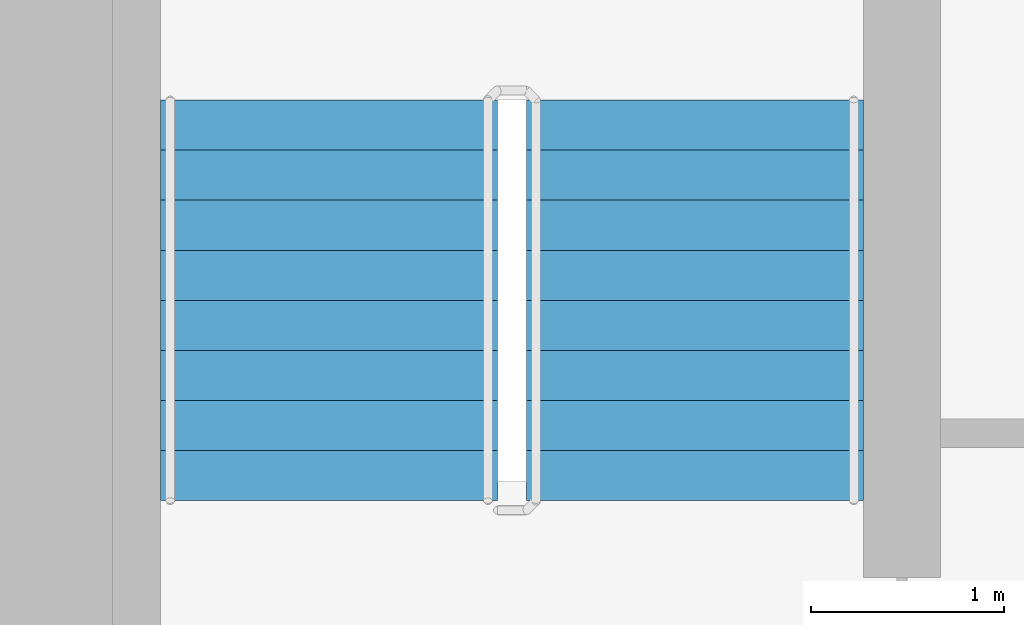
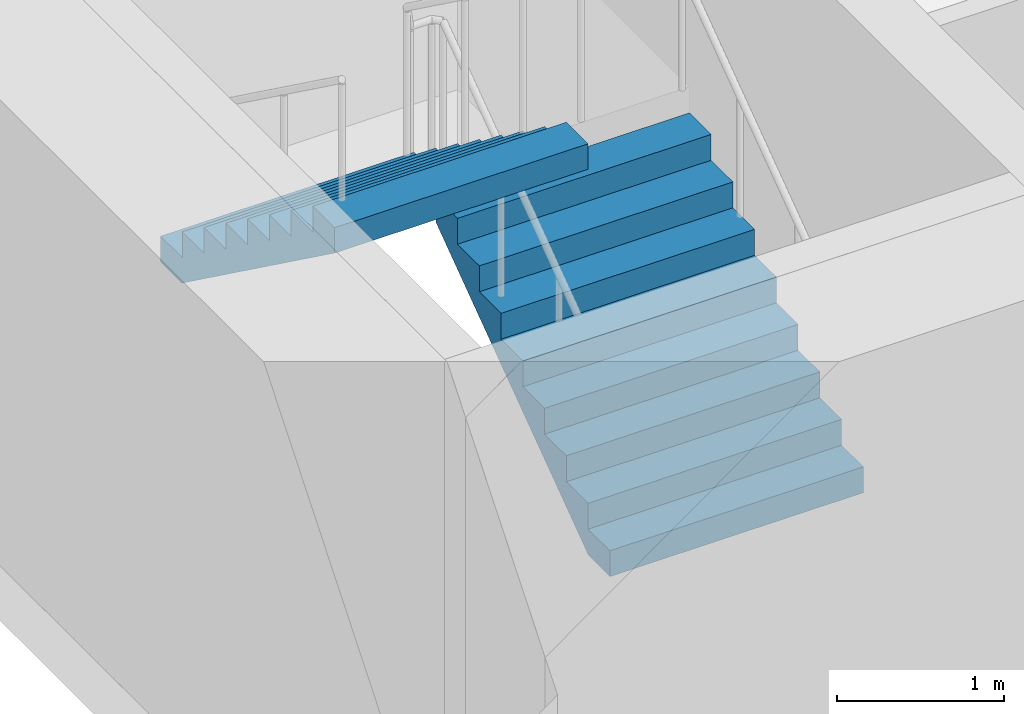
# One storey, part 17 of 21: 2 stair flights, 1 element without a shape of its own.
"""IFC4 building model written with IfcOpenShell, lengths in metres."""

import ifcopenshell
import ifcopenshell.guid

model = None  # the IFC model being written
_history = None  # IfcOwnerHistory: only IFC2X3 demands one
_inside = {}  # id of a spatial element -> (the spatial element, [elements in it])
_under = {}  # id of a project, library or spatial element -> (it, [spatial elements below it])
_declared = {}  # id of a project -> (the project, [libraries it declares])
_typed = {}  # id of a type object -> (the type object, [elements of that type])
_made_of = {}  # id of a material, layer set ... -> (it, [elements and type objects made of it])


def new_model(schema):
    """Start an empty IFC model of exactly this schema.

    Asked for "IFC4X3", IfcOpenShell would pick the latest addendum, in which some entities
    have other attributes; the version numbers below select the first issue.
    IFC2X3 requires an IfcOwnerHistory on every rooted entity: one is made here for all.
    """
    global model, _history
    if schema == "IFC4X3":
        model = ifcopenshell.file(schema_version=(4, 3, 0, 0))
    else:
        model = ifcopenshell.file(schema=schema)
    _inside.clear()
    _under.clear()
    _declared.clear()
    _typed.clear()
    _made_of.clear()
    _history = None
    if model.schema == "IFC2X3":
        org = make("IfcOrganization", Name="unknown")
        user = make(
            "IfcPersonAndOrganization",
            ThePerson=make("IfcPerson", FamilyName="unknown"),
            TheOrganization=org,
        )
        app = make(
            "IfcApplication",
            ApplicationDeveloper=org,
            Version="unknown",
            ApplicationFullName="unknown",
            ApplicationIdentifier="unknown",
        )
        _history = make(
            "IfcOwnerHistory",
            OwningUser=user,
            OwningApplication=app,
            ChangeAction="ADDED",
            CreationDate=0,
        )
    return model


def make(cls, **values):
    """One entity of the class cls with the attributes given. An attribute that is None is left unset."""
    return model.create_entity(
        cls, **{name: value for name, value in values.items() if value is not None}
    )


def rooted(cls, **values):
    """An entity with a GlobalId (a new one), such as an element, a storey or a relation."""
    return make(cls, GlobalId=ifcopenshell.guid.new(), OwnerHistory=_history, **values)


def si_unit(unit_type, name, prefix=None):
    """IfcSIUnit, for example si_unit("LENGTHUNIT", "METRE", prefix="MILLI")."""
    return make("IfcSIUnit", UnitType=unit_type, Prefix=prefix, Name=name)


def assignment(units):
    """IfcUnitAssignment: the units of a project."""
    return None if units is None else make("IfcUnitAssignment", Units=units)


def point(xyz):
    """IfcCartesianPoint."""
    return None if xyz is None else make("IfcCartesianPoint", Coordinates=xyz)


def direction(xyz):
    """IfcDirection."""
    return None if xyz is None else make("IfcDirection", DirectionRatios=xyz)


def frame(location, z_axis=None, x_axis=None):
    """IfcAxis2Placement3D, a coordinate frame: its origin and axes. An axis left out is left unset."""
    return make(
        "IfcAxis2Placement3D",
        Location=point(location),
        Axis=direction(z_axis),
        RefDirection=direction(x_axis),
    )


def origin():
    """The frame at (0, 0, 0) with its axes left unset."""
    return frame((0.0, 0.0, 0.0))


def place(relative_to, where):
    """IfcLocalPlacement: puts the frame where relative to a parent placement (None: the world)."""
    return make(
        "IfcLocalPlacement", PlacementRelTo=relative_to, RelativePlacement=where
    )


def context(
    kind, dimensions, precision=None, world=None, true_north=None, identifier=None
):
    """IfcGeometricRepresentationContext, for example the 3D "Model" context."""
    return make(
        "IfcGeometricRepresentationContext",
        ContextIdentifier=identifier,
        ContextType=kind,
        CoordinateSpaceDimension=dimensions,
        Precision=precision,
        WorldCoordinateSystem=world,
        TrueNorth=true_north,
    )


def subcontext(parent, identifier, kind, view, scale=None):
    """IfcGeometricRepresentationSubContext, for example "Body" below "Model"."""
    return make(
        "IfcGeometricRepresentationSubContext",
        ContextIdentifier=identifier,
        ContextType=kind,
        ParentContext=parent,
        TargetScale=scale,
        TargetView=view,
    )


def project(units=None, contexts=None):
    """IfcProject with its units and contexts."""
    return rooted(
        "IfcProject",
        Name="project",
        RepresentationContexts=contexts,
        UnitsInContext=assignment(units),
    )


def spatial(cls, under=None, at=None, **own):
    """A site, building, storey or space (cls), placed at a placement, below another one or the project."""
    s = rooted(cls, ObjectPlacement=at, **own)
    if under is not None:
        _under.setdefault(under.id(), (under, []))[1].append(s)
    return s


def faces_of(points, faces, orient=None, outer=None):
    """IfcFace entities. A face is a list of loops; a loop is a list of indices into points, from 0.

    orient and outer hold one flag for each loop. By default every Orientation is true, the
    first loop of a face is its IfcFaceOuterBound and the others are IfcFaceBound.
    """
    made = []
    for i, loops in enumerate(faces):
        bounds = []
        for j, loop in enumerate(loops):
            is_outer = j == 0 if outer is None else outer[i][j]
            bounds.append(
                make(
                    "IfcFaceOuterBound" if is_outer else "IfcFaceBound",
                    Bound=make("IfcPolyLoop", Polygon=[points[k] for k in loop]),
                    Orientation=True if orient is None else orient[i][j],
                )
            )
        made.append(make("IfcFace", Bounds=bounds))
    return made


def faceted_brep(points, faces, orient=None, outer=None, voids=None):
    """IfcFacetedBrep: a solid bounded by flat faces; with voids (closed shells), ...WithVoids."""
    shared = [point(p) for p in points]
    hull = make("IfcClosedShell", CfsFaces=faces_of(shared, faces, orient, outer))
    if voids is None:
        return make("IfcFacetedBrep", Outer=hull)
    return make(
        "IfcFacetedBrepWithVoids",
        Outer=hull,
        Voids=[
            make(cls, CfsFaces=faces_of(shared, fs, o, b)) for cls, fs, o, b in voids
        ],
    )


def shape(context_of_items, identifier, shape_type, items):
    """IfcShapeRepresentation: the items that make up one representation, for example the "Body"."""
    return make(
        "IfcShapeRepresentation",
        ContextOfItems=context_of_items,
        RepresentationIdentifier=identifier,
        RepresentationType=shape_type,
        Items=items,
    )


def material(Name=None, Category=None):
    """IfcMaterial."""
    return make("IfcMaterial", Name=Name, Category=Category)


def made_of(thing, what):
    """Note that an element or type object is made of a material, layer set ...; save() writes the relation."""
    if what is not None:
        _made_of.setdefault(what.id(), (what, []))[1].append(thing)
    return thing


def type_object(cls, material=None, **own):
    """A type object (cls), such as IfcWallType, which elements share."""
    return made_of(rooted(cls, **own), material)


def element(
    cls,
    number,
    at=None,
    inside=None,
    cuts=None,
    type_object=None,
    material=None,
    context=None,
    identifier="Body",
    shape_type=None,
    held_by="IfcProductDefinitionShape",
    body=None,
    shapes=None,
    **own,
):
    """One element of the class cls, such as IfcWall. Its Tag is "e" and its number.

    at: its placement. inside: the storey or other place that contains it. cuts: it is an
    opening in that element (IfcRelVoidsElement). A single representation is given by context,
    identifier, shape_type and body (its items); several are given by shapes. held_by: the class
    of the entity that holds the representations. save() writes the other relations.
    """
    e = rooted(cls, Tag="e%d" % number, ObjectPlacement=at, **own)
    if body is not None:
        shapes = [shape(context, identifier, shape_type, body)]
    if shapes is not None:
        e.Representation = make(held_by, Representations=shapes)
    if inside is not None:
        _inside.setdefault(inside.id(), (inside, []))[1].append(e)
    if cuts is not None:
        rooted(
            "IfcRelVoidsElement", RelatingBuildingElement=cuts, RelatedOpeningElement=e
        )
    if type_object is not None:
        _typed.setdefault(type_object.id(), (type_object, []))[1].append(e)
    return made_of(e, material)


def aggregate(whole, parts):
    """IfcRelAggregates: a whole, such as a stair, and the parts it consists of."""
    return rooted("IfcRelAggregates", RelatingObject=whole, RelatedObjects=parts)


def save(model, path):
    """Write the relations noted so far, then the file.

    IfcRelAggregates (storeys below a building ...), IfcRelContainedInSpatialStructure (elements
    in a storey), IfcRelDefinesByType, IfcRelAssociatesMaterial and IfcRelDeclares: one each for
    every whole, place, type object, material and project.
    """
    for whole, parts in _under.values():
        aggregate(whole, parts)
    for where, things in _inside.values():
        rooted(
            "IfcRelContainedInSpatialStructure",
            RelatedElements=things,
            RelatingStructure=where,
        )
    for kind, things in _typed.values():
        rooted("IfcRelDefinesByType", RelatedObjects=things, RelatingType=kind)
    for what, things in _made_of.values():
        rooted("IfcRelAssociatesMaterial", RelatedObjects=things, RelatingMaterial=what)
    for by, libraries in _declared.values():
        rooted("IfcRelDeclares", RelatingContext=by, RelatedDefinitions=libraries)
    model.write(path)


model = new_model("IFC4")

# Units and contexts
model_context = context("Model", 3, precision=1e-05, world=origin(), true_north=direction((0.0, 1.0)))
body_context = subcontext(model_context, "Body", "Model", "MODEL_VIEW")
ifc_project = project(units=[si_unit("LENGTHUNIT", "METRE"), si_unit("AREAUNIT", "SQUARE_METRE"), si_unit("VOLUMEUNIT", "CUBIC_METRE"), si_unit("PLANEANGLEUNIT", "RADIAN"), si_unit("MASSUNIT", "GRAM", prefix="KILO")], contexts=[model_context])

# Site, building, storey
site_placement = place(None, origin())
site = spatial("IfcSite", under=ifc_project, at=site_placement, CompositionType="ELEMENT")
building_placement = place(site_placement, origin())
building = spatial("IfcBuilding", under=site, at=building_placement, Name="Ipe Terrace Towers", CompositionType="ELEMENT")
storey_placement = place(building_placement, frame((0.0, 0.0, 117.39990234375)))
storey = spatial("IfcBuildingStorey", under=building, at=storey_placement, Name="L32", CompositionType="ELEMENT", Elevation=117.39990234375)

# Stair, stair flights
ifc_material_1 = material(Name="Concrete C30/37", Category="concrete")
stair_type = type_object("IfcStairType", Name="Protected exit stair", PredefinedType="HALF_TURN_STAIR", material=ifc_material_1)
stair_placement = place(storey_placement, origin())
stair = element("IfcStair", 1, at=stair_placement, inside=storey, type_object=stair_type, Name="L32 Exit stair T2-C1", PredefinedType="HALF_TURN_STAIR")
ifc_material_2 = material(Name="Concrete C30/37", Category="concrete")
stair_flight_type = type_object("IfcStairFlightType", Name="Exit stair flight 1750", PredefinedType="STRAIGHT", material=ifc_material_2)
stair_flight_1_placement = place(storey_placement, frame((33.22509765625, 9.699951171875, 0.0), z_axis=(0.0, 0.0, 1.0), x_axis=(0.0, 1.0, 0.0)))
stair_flight_1 = element("IfcStairFlight", 2, at=stair_flight_1_placement, type_object=stair_flight_type, Name="T2-ST1 flight 1", NumberOfRisers=9, NumberOfTreads=8, PredefinedType="STRAIGHT", RiserHeight=0.188888889, TreadLength=0.26, context=body_context, shape_type="Brep", body=[
    faceted_brep([(0.255126953125, -0.875, 0.0), (2.080078125, -0.875, 1.325927734375), (2.080078125, -0.875, 1.51123046875), (1.820068359375, -0.875, 1.51123046875), (1.820068359375, -0.875, 1.322265625), (1.56005859375, -0.875, 1.322265625), (1.56005859375, -0.875, 1.13330078125), (1.300048828125, -0.875, 1.13330078125), (1.300048828125, -0.875, 0.9443359375), (1.0400390625, -0.875, 0.9443359375), (1.0400390625, -0.875, 0.755615234375), (0.780029296875, -0.875, 0.755615234375), (0.780029296875, -0.875, 0.566650390625), (0.52001953125, -0.875, 0.566650390625), (0.52001953125, -0.875, 0.377685546875), (0.260009765625, -0.875, 0.377685546875), (0.260009765625, -0.875, 0.18896484375), (0.0, -0.875, 0.18896484375), (0.0, -0.875, 0.0), (0.0, 0.875, 0.0), (0.0, 0.875, 0.18896484375), (0.260009765625, 0.875, 0.18896484375), (0.260009765625, 0.875, 0.377685546875), (0.52001953125, 0.875, 0.377685546875), (0.52001953125, 0.875, 0.566650390625), (0.780029296875, 0.875, 0.566650390625), (0.780029296875, 0.875, 0.755615234375), (1.0400390625, 0.875, 0.755615234375), (1.0400390625, 0.875, 0.9443359375), (1.300048828125, 0.875, 0.9443359375), (1.300048828125, 0.875, 1.13330078125), (1.56005859375, 0.875, 1.13330078125), (1.56005859375, 0.875, 1.322265625), (1.820068359375, 0.875, 1.322265625), (1.820068359375, 0.875, 1.51123046875), (2.080078125, 0.875, 1.51123046875), (2.080078125, 0.875, 1.325927734375), (0.255126953125, 0.875, 0.0), (0.0, -0.300048828125, 0.18896484375), (0.0, -0.1201171875, 0.18896484375), (0.0, -0.06005859375, 0.18896484375), (0.0, -0.030029296875, 0.18896484375), (0.0, -0.010009765625, 0.18896484375), (0.0, 0.0, 0.18896484375), (0.0, 0.010009765625, 0.18896484375), (0.0, 0.030029296875, 0.18896484375), (0.0, 0.06005859375, 0.18896484375), (0.0, 0.1201171875, 0.18896484375), (0.0, 0.300048828125, 0.18896484375), (0.0, 0.300048828125, 0.0), (0.0, 0.1201171875, 0.0), (0.0, 0.06005859375, 0.0), (0.0, 0.030029296875, 0.0), (0.0, 0.010009765625, 0.0), (0.0, 0.0, 0.0), (0.0, -0.010009765625, 0.0), (0.0, -0.030029296875, 0.0), (0.0, -0.06005859375, 0.0), (0.0, -0.1201171875, 0.0), (0.0, -0.300048828125, 0.0), (0.260009765625, -0.300048828125, 0.18896484375), (0.260009765625, -0.1201171875, 0.18896484375), (0.260009765625, -0.06005859375, 0.18896484375), (0.260009765625, -0.030029296875, 0.18896484375), (0.260009765625, -0.010009765625, 0.18896484375), (0.260009765625, 0.0, 0.18896484375), (0.260009765625, 0.010009765625, 0.18896484375), (0.260009765625, 0.030029296875, 0.18896484375), (0.260009765625, 0.06005859375, 0.18896484375), (0.260009765625, 0.1201171875, 0.18896484375), (0.260009765625, 0.300048828125, 0.18896484375), (0.260009765625, -0.300048828125, 0.377685546875), (0.260009765625, -0.1201171875, 0.377685546875), (0.260009765625, -0.06005859375, 0.377685546875), (0.260009765625, -0.030029296875, 0.377685546875), (0.260009765625, -0.010009765625, 0.377685546875), (0.260009765625, 0.0, 0.377685546875), (0.260009765625, 0.010009765625, 0.377685546875), (0.260009765625, 0.030029296875, 0.377685546875), (0.260009765625, 0.06005859375, 0.377685546875), (0.260009765625, 0.1201171875, 0.377685546875), (0.260009765625, 0.300048828125, 0.377685546875), (0.52001953125, -0.300048828125, 0.377685546875), (0.52001953125, -0.1201171875, 0.377685546875), (0.52001953125, -0.06005859375, 0.377685546875), (0.52001953125, -0.030029296875, 0.377685546875), (0.52001953125, -0.010009765625, 0.377685546875), (0.52001953125, 0.0, 0.377685546875), (0.52001953125, 0.010009765625, 0.377685546875), (0.52001953125, 0.030029296875, 0.377685546875), (0.52001953125, 0.06005859375, 0.377685546875), (0.52001953125, 0.1201171875, 0.377685546875), (0.52001953125, 0.300048828125, 0.377685546875), (0.52001953125, -0.300048828125, 0.566650390625), (0.52001953125, -0.1201171875, 0.566650390625), (0.52001953125, -0.06005859375, 0.566650390625), (0.52001953125, -0.030029296875, 0.566650390625), (0.52001953125, -0.010009765625, 0.566650390625), (0.52001953125, 0.0, 0.566650390625), (0.52001953125, 0.010009765625, 0.566650390625), (0.52001953125, 0.030029296875, 0.566650390625), (0.52001953125, 0.06005859375, 0.566650390625), (0.52001953125, 0.1201171875, 0.566650390625), (0.52001953125, 0.300048828125, 0.566650390625), (0.780029296875, -0.300048828125, 0.566650390625), (0.780029296875, -0.1201171875, 0.566650390625), (0.780029296875, -0.06005859375, 0.566650390625), (0.780029296875, -0.030029296875, 0.566650390625), (0.780029296875, -0.010009765625, 0.566650390625), (0.780029296875, 0.0, 0.566650390625), (0.780029296875, 0.010009765625, 0.566650390625), (0.780029296875, 0.030029296875, 0.566650390625), (0.780029296875, 0.06005859375, 0.566650390625), (0.780029296875, 0.1201171875, 0.566650390625), (0.780029296875, 0.300048828125, 0.566650390625), (0.780029296875, -0.300048828125, 0.755615234375), (0.780029296875, -0.1201171875, 0.755615234375), (0.780029296875, -0.06005859375, 0.755615234375), (0.780029296875, -0.030029296875, 0.755615234375), (0.780029296875, -0.010009765625, 0.755615234375), (0.780029296875, 0.0, 0.755615234375), (0.780029296875, 0.010009765625, 0.755615234375), (0.780029296875, 0.030029296875, 0.755615234375), (0.780029296875, 0.06005859375, 0.755615234375), (0.780029296875, 0.1201171875, 0.755615234375), (0.780029296875, 0.300048828125, 0.755615234375), (1.0400390625, -0.300048828125, 0.755615234375), (1.0400390625, -0.1201171875, 0.755615234375), (1.0400390625, -0.06005859375, 0.755615234375), (1.0400390625, -0.030029296875, 0.755615234375), (1.0400390625, -0.010009765625, 0.755615234375), (1.0400390625, 0.0, 0.755615234375), (1.0400390625, 0.010009765625, 0.755615234375), (1.0400390625, 0.030029296875, 0.755615234375), (1.0400390625, 0.06005859375, 0.755615234375), (1.0400390625, 0.1201171875, 0.755615234375), (1.0400390625, 0.300048828125, 0.755615234375), (1.0400390625, -0.300048828125, 0.9443359375), (1.0400390625, -0.1201171875, 0.9443359375), (1.0400390625, -0.06005859375, 0.9443359375), (1.0400390625, -0.030029296875, 0.9443359375), (1.0400390625, -0.010009765625, 0.9443359375), (1.0400390625, 0.0, 0.9443359375), (1.0400390625, 0.010009765625, 0.9443359375), (1.0400390625, 0.030029296875, 0.9443359375), (1.0400390625, 0.06005859375, 0.9443359375), (1.0400390625, 0.1201171875, 0.9443359375), (1.0400390625, 0.300048828125, 0.9443359375), (1.300048828125, -0.300048828125, 0.9443359375), (1.300048828125, -0.1201171875, 0.9443359375), (1.300048828125, -0.06005859375, 0.9443359375), (1.300048828125, -0.030029296875, 0.9443359375), (1.300048828125, -0.010009765625, 0.9443359375), (1.300048828125, 0.0, 0.9443359375), (1.300048828125, 0.010009765625, 0.9443359375), (1.300048828125, 0.030029296875, 0.9443359375), (1.300048828125, 0.06005859375, 0.9443359375), (1.300048828125, 0.1201171875, 0.9443359375), (1.300048828125, 0.300048828125, 0.9443359375), (1.300048828125, -0.300048828125, 1.13330078125), (1.300048828125, -0.1201171875, 1.13330078125), (1.300048828125, -0.06005859375, 1.13330078125), (1.300048828125, -0.030029296875, 1.13330078125), (1.300048828125, -0.010009765625, 1.13330078125), (1.300048828125, 0.0, 1.13330078125), (1.300048828125, 0.010009765625, 1.13330078125), (1.300048828125, 0.030029296875, 1.13330078125), (1.300048828125, 0.06005859375, 1.13330078125), (1.300048828125, 0.1201171875, 1.13330078125), (1.300048828125, 0.300048828125, 1.13330078125), (1.56005859375, -0.300048828125, 1.13330078125), (1.56005859375, -0.1201171875, 1.13330078125), (1.56005859375, -0.06005859375, 1.13330078125), (1.56005859375, -0.030029296875, 1.13330078125), (1.56005859375, -0.010009765625, 1.13330078125), (1.56005859375, 0.0, 1.13330078125), (1.56005859375, 0.010009765625, 1.13330078125), (1.56005859375, 0.030029296875, 1.13330078125), (1.56005859375, 0.06005859375, 1.13330078125), (1.56005859375, 0.1201171875, 1.13330078125), (1.56005859375, 0.300048828125, 1.13330078125), (1.56005859375, -0.300048828125, 1.322265625), (1.56005859375, -0.1201171875, 1.322265625), (1.56005859375, -0.06005859375, 1.322265625), (1.56005859375, -0.030029296875, 1.322265625), (1.56005859375, -0.010009765625, 1.322265625), (1.56005859375, 0.0, 1.322265625), (1.56005859375, 0.010009765625, 1.322265625), (1.56005859375, 0.030029296875, 1.322265625), (1.56005859375, 0.06005859375, 1.322265625), (1.56005859375, 0.1201171875, 1.322265625), (1.56005859375, 0.300048828125, 1.322265625), (1.820068359375, -0.300048828125, 1.322265625), (1.820068359375, -0.1201171875, 1.322265625), (1.820068359375, -0.06005859375, 1.322265625), (1.820068359375, -0.030029296875, 1.322265625), (1.820068359375, -0.010009765625, 1.322265625), (1.820068359375, 0.0, 1.322265625), (1.820068359375, 0.010009765625, 1.322265625), (1.820068359375, 0.030029296875, 1.322265625), (1.820068359375, 0.06005859375, 1.322265625), (1.820068359375, 0.1201171875, 1.322265625), (1.820068359375, 0.300048828125, 1.322265625), (1.820068359375, -0.300048828125, 1.51123046875), (1.820068359375, -0.1201171875, 1.51123046875), (1.820068359375, -0.06005859375, 1.51123046875), (1.820068359375, -0.030029296875, 1.51123046875), (1.820068359375, -0.010009765625, 1.51123046875), (1.820068359375, 0.0, 1.51123046875), (1.820068359375, 0.010009765625, 1.51123046875), (1.820068359375, 0.030029296875, 1.51123046875), (1.820068359375, 0.06005859375, 1.51123046875), (1.820068359375, 0.1201171875, 1.51123046875), (1.820068359375, 0.300048828125, 1.51123046875), (2.080078125, -0.300048828125, 1.51123046875), (2.080078125, -0.1201171875, 1.51123046875), (2.080078125, -0.06005859375, 1.51123046875), (2.080078125, -0.030029296875, 1.51123046875), (2.080078125, -0.010009765625, 1.51123046875), (2.080078125, 0.0, 1.51123046875), (2.080078125, 0.010009765625, 1.51123046875), (2.080078125, 0.030029296875, 1.51123046875), (2.080078125, 0.06005859375, 1.51123046875), (2.080078125, 0.1201171875, 1.51123046875), (2.080078125, 0.300048828125, 1.51123046875), (2.080078125, -0.300048828125, 1.325927734375), (2.080078125, -0.1201171875, 1.325927734375), (2.080078125, -0.06005859375, 1.325927734375), (2.080078125, -0.030029296875, 1.325927734375), (2.080078125, -0.010009765625, 1.325927734375), (2.080078125, 0.0, 1.325927734375), (2.080078125, 0.010009765625, 1.325927734375), (2.080078125, 0.030029296875, 1.325927734375), (2.080078125, 0.06005859375, 1.325927734375), (2.080078125, 0.1201171875, 1.325927734375), (2.080078125, 0.300048828125, 1.325927734375), (0.255126953125, -0.300048828125, 0.0), (0.255126953125, -0.1201171875, 0.0), (0.255126953125, -0.06005859375, 0.0), (0.255126953125, -0.030029296875, 0.0), (0.255126953125, -0.010009765625, 0.0), (0.255126953125, 0.0, 0.0), (0.255126953125, 0.010009765625, 0.0), (0.255126953125, 0.030029296875, 0.0), (0.255126953125, 0.06005859375, 0.0), (0.255126953125, 0.1201171875, 0.0), (0.255126953125, 0.300048828125, 0.0)], [[[0, 1, 2, 3, 4, 5, 6, 7, 8, 9, 10, 11, 12, 13, 14, 15, 16, 17, 18]], [[19, 20, 21, 22, 23, 24, 25, 26, 27, 28, 29, 30, 31, 32, 33, 34, 35, 36, 37]], [[17, 38, 39, 40, 41, 42, 43, 44, 45, 46, 47, 48, 20, 19, 49, 50, 51, 52, 53, 54, 55, 56, 57, 58, 59, 18]], [[16, 60, 61, 62, 63, 64, 65, 66, 67, 68, 69, 70, 21, 20, 48, 47, 46, 45, 44, 43, 42, 41, 40, 39, 38, 17]], [[15, 71, 72, 73, 74, 75, 76, 77, 78, 79, 80, 81, 22, 21, 70, 69, 68, 67, 66, 65, 64, 63, 62, 61, 60, 16]], [[14, 82, 83, 84, 85, 86, 87, 88, 89, 90, 91, 92, 23, 22, 81, 80, 79, 78, 77, 76, 75, 74, 73, 72, 71, 15]], [[13, 93, 94, 95, 96, 97, 98, 99, 100, 101, 102, 103, 24, 23, 92, 91, 90, 89, 88, 87, 86, 85, 84, 83, 82, 14]], [[12, 104, 105, 106, 107, 108, 109, 110, 111, 112, 113, 114, 25, 24, 103, 102, 101, 100, 99, 98, 97, 96, 95, 94, 93, 13]], [[11, 115, 116, 117, 118, 119, 120, 121, 122, 123, 124, 125, 26, 25, 114, 113, 112, 111, 110, 109, 108, 107, 106, 105, 104, 12]], [[10, 126, 127, 128, 129, 130, 131, 132, 133, 134, 135, 136, 27, 26, 125, 124, 123, 122, 121, 120, 119, 118, 117, 116, 115, 11]], [[9, 137, 138, 139, 140, 141, 142, 143, 144, 145, 146, 147, 28, 27, 136, 135, 134, 133, 132, 131, 130, 129, 128, 127, 126, 10]], [[8, 148, 149, 150, 151, 152, 153, 154, 155, 156, 157, 158, 29, 28, 147, 146, 145, 144, 143, 142, 141, 140, 139, 138, 137, 9]], [[7, 159, 160, 161, 162, 163, 164, 165, 166, 167, 168, 169, 30, 29, 158, 157, 156, 155, 154, 153, 152, 151, 150, 149, 148, 8]], [[6, 170, 171, 172, 173, 174, 175, 176, 177, 178, 179, 180, 31, 30, 169, 168, 167, 166, 165, 164, 163, 162, 161, 160, 159, 7]], [[5, 181, 182, 183, 184, 185, 186, 187, 188, 189, 190, 191, 32, 31, 180, 179, 178, 177, 176, 175, 174, 173, 172, 171, 170, 6]], [[4, 192, 193, 194, 195, 196, 197, 198, 199, 200, 201, 202, 33, 32, 191, 190, 189, 188, 187, 186, 185, 184, 183, 182, 181, 5]], [[3, 203, 204, 205, 206, 207, 208, 209, 210, 211, 212, 213, 34, 33, 202, 201, 200, 199, 198, 197, 196, 195, 194, 193, 192, 4]], [[2, 214, 215, 216, 217, 218, 219, 220, 221, 222, 223, 224, 35, 34, 213, 212, 211, 210, 209, 208, 207, 206, 205, 204, 203, 3]], [[1, 225, 226, 227, 228, 229, 230, 231, 232, 233, 234, 235, 36, 35, 224, 223, 222, 221, 220, 219, 218, 217, 216, 215, 214, 2]], [[0, 236, 237, 238, 239, 240, 241, 242, 243, 244, 245, 246, 37, 36, 235, 234, 233, 232, 231, 230, 229, 228, 227, 226, 225, 1]], [[18, 59, 58, 57, 56, 55, 54, 53, 52, 51, 50, 49, 19, 37, 246, 245, 244, 243, 242, 241, 240, 239, 238, 237, 236, 0]]]),
])
stair_flight_2_placement = place(storey_placement, frame((31.324951171875, 11.780029296875, 1.7001953125), z_axis=(0.0, 0.0, 1.0), x_axis=(0.0, -1.0, 0.0)))
stair_flight_2 = element("IfcStairFlight", 3, at=stair_flight_2_placement, type_object=stair_flight_type, Name="T2-ST1 flight 2", NumberOfRisers=9, NumberOfTreads=8, PredefinedType="STRAIGHT", RiserHeight=0.188888889, TreadLength=0.26, context=body_context, shape_type="Brep", body=[
    faceted_brep([(0.255126953125, -0.875, 0.0), (2.080078125, -0.875, 1.325927734375), (2.080078125, -0.875, 1.51123046875), (1.820068359375, -0.875, 1.51123046875), (1.820068359375, -0.875, 1.322265625), (1.56005859375, -0.875, 1.322265625), (1.56005859375, -0.875, 1.13330078125), (1.300048828125, -0.875, 1.13330078125), (1.300048828125, -0.875, 0.9443359375), (1.0400390625, -0.875, 0.9443359375), (1.0400390625, -0.875, 0.755615234375), (0.780029296875, -0.875, 0.755615234375), (0.780029296875, -0.875, 0.566650390625), (0.52001953125, -0.875, 0.566650390625), (0.52001953125, -0.875, 0.377685546875), (0.260009765625, -0.875, 0.377685546875), (0.260009765625, -0.875, 0.18896484375), (0.0, -0.875, 0.18896484375), (0.0, -0.875, 0.0), (0.0, 0.875, 0.0), (0.0, 0.875, 0.18896484375), (0.260009765625, 0.875, 0.18896484375), (0.260009765625, 0.875, 0.377685546875), (0.52001953125, 0.875, 0.377685546875), (0.52001953125, 0.875, 0.566650390625), (0.780029296875, 0.875, 0.566650390625), (0.780029296875, 0.875, 0.755615234375), (1.0400390625, 0.875, 0.755615234375), (1.0400390625, 0.875, 0.9443359375), (1.300048828125, 0.875, 0.9443359375), (1.300048828125, 0.875, 1.13330078125), (1.56005859375, 0.875, 1.13330078125), (1.56005859375, 0.875, 1.322265625), (1.820068359375, 0.875, 1.322265625), (1.820068359375, 0.875, 1.51123046875), (2.080078125, 0.875, 1.51123046875), (2.080078125, 0.875, 1.325927734375), (0.255126953125, 0.875, 0.0), (0.0, -0.300048828125, 0.18896484375), (0.0, -0.1201171875, 0.18896484375), (0.0, -0.06005859375, 0.18896484375), (0.0, -0.030029296875, 0.18896484375), (0.0, -0.010009765625, 0.18896484375), (0.0, 0.0, 0.18896484375), (0.0, 0.010009765625, 0.18896484375), (0.0, 0.030029296875, 0.18896484375), (0.0, 0.06005859375, 0.18896484375), (0.0, 0.1201171875, 0.18896484375), (0.0, 0.300048828125, 0.18896484375), (0.0, 0.300048828125, 0.0), (0.0, 0.1201171875, 0.0), (0.0, 0.06005859375, 0.0), (0.0, 0.030029296875, 0.0), (0.0, 0.010009765625, 0.0), (0.0, 0.0, 0.0), (0.0, -0.010009765625, 0.0), (0.0, -0.030029296875, 0.0), (0.0, -0.06005859375, 0.0), (0.0, -0.1201171875, 0.0), (0.0, -0.300048828125, 0.0), (0.260009765625, -0.300048828125, 0.18896484375), (0.260009765625, -0.1201171875, 0.18896484375), (0.260009765625, -0.06005859375, 0.18896484375), (0.260009765625, -0.030029296875, 0.18896484375), (0.260009765625, -0.010009765625, 0.18896484375), (0.260009765625, 0.0, 0.18896484375), (0.260009765625, 0.010009765625, 0.18896484375), (0.260009765625, 0.030029296875, 0.18896484375), (0.260009765625, 0.06005859375, 0.18896484375), (0.260009765625, 0.1201171875, 0.18896484375), (0.260009765625, 0.300048828125, 0.18896484375), (0.260009765625, -0.300048828125, 0.377685546875), (0.260009765625, -0.1201171875, 0.377685546875), (0.260009765625, -0.06005859375, 0.377685546875), (0.260009765625, -0.030029296875, 0.377685546875), (0.260009765625, -0.010009765625, 0.377685546875), (0.260009765625, 0.0, 0.377685546875), (0.260009765625, 0.010009765625, 0.377685546875), (0.260009765625, 0.030029296875, 0.377685546875), (0.260009765625, 0.06005859375, 0.377685546875), (0.260009765625, 0.1201171875, 0.377685546875), (0.260009765625, 0.300048828125, 0.377685546875), (0.52001953125, -0.300048828125, 0.377685546875), (0.52001953125, -0.1201171875, 0.377685546875), (0.52001953125, -0.06005859375, 0.377685546875), (0.52001953125, -0.030029296875, 0.377685546875), (0.52001953125, -0.010009765625, 0.377685546875), (0.52001953125, 0.0, 0.377685546875), (0.52001953125, 0.010009765625, 0.377685546875), (0.52001953125, 0.030029296875, 0.377685546875), (0.52001953125, 0.06005859375, 0.377685546875), (0.52001953125, 0.1201171875, 0.377685546875), (0.52001953125, 0.300048828125, 0.377685546875), (0.52001953125, -0.300048828125, 0.566650390625), (0.52001953125, -0.1201171875, 0.566650390625), (0.52001953125, -0.06005859375, 0.566650390625), (0.52001953125, -0.030029296875, 0.566650390625), (0.52001953125, -0.010009765625, 0.566650390625), (0.52001953125, 0.0, 0.566650390625), (0.52001953125, 0.010009765625, 0.566650390625), (0.52001953125, 0.030029296875, 0.566650390625), (0.52001953125, 0.06005859375, 0.566650390625), (0.52001953125, 0.1201171875, 0.566650390625), (0.52001953125, 0.300048828125, 0.566650390625), (0.780029296875, -0.300048828125, 0.566650390625), (0.780029296875, -0.1201171875, 0.566650390625), (0.780029296875, -0.06005859375, 0.566650390625), (0.780029296875, -0.030029296875, 0.566650390625), (0.780029296875, -0.010009765625, 0.566650390625), (0.780029296875, 0.0, 0.566650390625), (0.780029296875, 0.010009765625, 0.566650390625), (0.780029296875, 0.030029296875, 0.566650390625), (0.780029296875, 0.06005859375, 0.566650390625), (0.780029296875, 0.1201171875, 0.566650390625), (0.780029296875, 0.300048828125, 0.566650390625), (0.780029296875, -0.300048828125, 0.755615234375), (0.780029296875, -0.1201171875, 0.755615234375), (0.780029296875, -0.06005859375, 0.755615234375), (0.780029296875, -0.030029296875, 0.755615234375), (0.780029296875, -0.010009765625, 0.755615234375), (0.780029296875, 0.0, 0.755615234375), (0.780029296875, 0.010009765625, 0.755615234375), (0.780029296875, 0.030029296875, 0.755615234375), (0.780029296875, 0.06005859375, 0.755615234375), (0.780029296875, 0.1201171875, 0.755615234375), (0.780029296875, 0.300048828125, 0.755615234375), (1.0400390625, -0.300048828125, 0.755615234375), (1.0400390625, -0.1201171875, 0.755615234375), (1.0400390625, -0.06005859375, 0.755615234375), (1.0400390625, -0.030029296875, 0.755615234375), (1.0400390625, -0.010009765625, 0.755615234375), (1.0400390625, 0.0, 0.755615234375), (1.0400390625, 0.010009765625, 0.755615234375), (1.0400390625, 0.030029296875, 0.755615234375), (1.0400390625, 0.06005859375, 0.755615234375), (1.0400390625, 0.1201171875, 0.755615234375), (1.0400390625, 0.300048828125, 0.755615234375), (1.0400390625, -0.300048828125, 0.9443359375), (1.0400390625, -0.1201171875, 0.9443359375), (1.0400390625, -0.06005859375, 0.9443359375), (1.0400390625, -0.030029296875, 0.9443359375), (1.0400390625, -0.010009765625, 0.9443359375), (1.0400390625, 0.0, 0.9443359375), (1.0400390625, 0.010009765625, 0.9443359375), (1.0400390625, 0.030029296875, 0.9443359375), (1.0400390625, 0.06005859375, 0.9443359375), (1.0400390625, 0.1201171875, 0.9443359375), (1.0400390625, 0.300048828125, 0.9443359375), (1.300048828125, -0.300048828125, 0.9443359375), (1.300048828125, -0.1201171875, 0.9443359375), (1.300048828125, -0.06005859375, 0.9443359375), (1.300048828125, -0.030029296875, 0.9443359375), (1.300048828125, -0.010009765625, 0.9443359375), (1.300048828125, 0.0, 0.9443359375), (1.300048828125, 0.010009765625, 0.9443359375), (1.300048828125, 0.030029296875, 0.9443359375), (1.300048828125, 0.06005859375, 0.9443359375), (1.300048828125, 0.1201171875, 0.9443359375), (1.300048828125, 0.300048828125, 0.9443359375), (1.300048828125, -0.300048828125, 1.13330078125), (1.300048828125, -0.1201171875, 1.13330078125), (1.300048828125, -0.06005859375, 1.13330078125), (1.300048828125, -0.030029296875, 1.13330078125), (1.300048828125, -0.010009765625, 1.13330078125), (1.300048828125, 0.0, 1.13330078125), (1.300048828125, 0.010009765625, 1.13330078125), (1.300048828125, 0.030029296875, 1.13330078125), (1.300048828125, 0.06005859375, 1.13330078125), (1.300048828125, 0.1201171875, 1.13330078125), (1.300048828125, 0.300048828125, 1.13330078125), (1.56005859375, -0.300048828125, 1.13330078125), (1.56005859375, -0.1201171875, 1.13330078125), (1.56005859375, -0.06005859375, 1.13330078125), (1.56005859375, -0.030029296875, 1.13330078125), (1.56005859375, -0.010009765625, 1.13330078125), (1.56005859375, 0.0, 1.13330078125), (1.56005859375, 0.010009765625, 1.13330078125), (1.56005859375, 0.030029296875, 1.13330078125), (1.56005859375, 0.06005859375, 1.13330078125), (1.56005859375, 0.1201171875, 1.13330078125), (1.56005859375, 0.300048828125, 1.13330078125), (1.56005859375, -0.300048828125, 1.322265625), (1.56005859375, -0.1201171875, 1.322265625), (1.56005859375, -0.06005859375, 1.322265625), (1.56005859375, -0.030029296875, 1.322265625), (1.56005859375, -0.010009765625, 1.322265625), (1.56005859375, 0.0, 1.322265625), (1.56005859375, 0.010009765625, 1.322265625), (1.56005859375, 0.030029296875, 1.322265625), (1.56005859375, 0.06005859375, 1.322265625), (1.56005859375, 0.1201171875, 1.322265625), (1.56005859375, 0.300048828125, 1.322265625), (1.820068359375, -0.300048828125, 1.322265625), (1.820068359375, -0.1201171875, 1.322265625), (1.820068359375, -0.06005859375, 1.322265625), (1.820068359375, -0.030029296875, 1.322265625), (1.820068359375, -0.010009765625, 1.322265625), (1.820068359375, 0.0, 1.322265625), (1.820068359375, 0.010009765625, 1.322265625), (1.820068359375, 0.030029296875, 1.322265625), (1.820068359375, 0.06005859375, 1.322265625), (1.820068359375, 0.1201171875, 1.322265625), (1.820068359375, 0.300048828125, 1.322265625), (1.820068359375, -0.300048828125, 1.51123046875), (1.820068359375, -0.1201171875, 1.51123046875), (1.820068359375, -0.06005859375, 1.51123046875), (1.820068359375, -0.030029296875, 1.51123046875), (1.820068359375, -0.010009765625, 1.51123046875), (1.820068359375, 0.0, 1.51123046875), (1.820068359375, 0.010009765625, 1.51123046875), (1.820068359375, 0.030029296875, 1.51123046875), (1.820068359375, 0.06005859375, 1.51123046875), (1.820068359375, 0.1201171875, 1.51123046875), (1.820068359375, 0.300048828125, 1.51123046875), (2.080078125, -0.300048828125, 1.51123046875), (2.080078125, -0.1201171875, 1.51123046875), (2.080078125, -0.06005859375, 1.51123046875), (2.080078125, -0.030029296875, 1.51123046875), (2.080078125, -0.010009765625, 1.51123046875), (2.080078125, 0.0, 1.51123046875), (2.080078125, 0.010009765625, 1.51123046875), (2.080078125, 0.030029296875, 1.51123046875), (2.080078125, 0.06005859375, 1.51123046875), (2.080078125, 0.1201171875, 1.51123046875), (2.080078125, 0.300048828125, 1.51123046875), (2.080078125, -0.300048828125, 1.325927734375), (2.080078125, -0.1201171875, 1.325927734375), (2.080078125, -0.06005859375, 1.325927734375), (2.080078125, -0.030029296875, 1.325927734375), (2.080078125, -0.010009765625, 1.325927734375), (2.080078125, 0.0, 1.325927734375), (2.080078125, 0.010009765625, 1.325927734375), (2.080078125, 0.030029296875, 1.325927734375), (2.080078125, 0.06005859375, 1.325927734375), (2.080078125, 0.1201171875, 1.325927734375), (2.080078125, 0.300048828125, 1.325927734375), (0.255126953125, -0.300048828125, 0.0), (0.255126953125, -0.1201171875, 0.0), (0.255126953125, -0.06005859375, 0.0), (0.255126953125, -0.030029296875, 0.0), (0.255126953125, -0.010009765625, 0.0), (0.255126953125, 0.0, 0.0), (0.255126953125, 0.010009765625, 0.0), (0.255126953125, 0.030029296875, 0.0), (0.255126953125, 0.06005859375, 0.0), (0.255126953125, 0.1201171875, 0.0), (0.255126953125, 0.300048828125, 0.0)], [[[0, 1, 2, 3, 4, 5, 6, 7, 8, 9, 10, 11, 12, 13, 14, 15, 16, 17, 18]], [[19, 20, 21, 22, 23, 24, 25, 26, 27, 28, 29, 30, 31, 32, 33, 34, 35, 36, 37]], [[17, 38, 39, 40, 41, 42, 43, 44, 45, 46, 47, 48, 20, 19, 49, 50, 51, 52, 53, 54, 55, 56, 57, 58, 59, 18]], [[16, 60, 61, 62, 63, 64, 65, 66, 67, 68, 69, 70, 21, 20, 48, 47, 46, 45, 44, 43, 42, 41, 40, 39, 38, 17]], [[15, 71, 72, 73, 74, 75, 76, 77, 78, 79, 80, 81, 22, 21, 70, 69, 68, 67, 66, 65, 64, 63, 62, 61, 60, 16]], [[14, 82, 83, 84, 85, 86, 87, 88, 89, 90, 91, 92, 23, 22, 81, 80, 79, 78, 77, 76, 75, 74, 73, 72, 71, 15]], [[13, 93, 94, 95, 96, 97, 98, 99, 100, 101, 102, 103, 24, 23, 92, 91, 90, 89, 88, 87, 86, 85, 84, 83, 82, 14]], [[12, 104, 105, 106, 107, 108, 109, 110, 111, 112, 113, 114, 25, 24, 103, 102, 101, 100, 99, 98, 97, 96, 95, 94, 93, 13]], [[11, 115, 116, 117, 118, 119, 120, 121, 122, 123, 124, 125, 26, 25, 114, 113, 112, 111, 110, 109, 108, 107, 106, 105, 104, 12]], [[10, 126, 127, 128, 129, 130, 131, 132, 133, 134, 135, 136, 27, 26, 125, 124, 123, 122, 121, 120, 119, 118, 117, 116, 115, 11]], [[9, 137, 138, 139, 140, 141, 142, 143, 144, 145, 146, 147, 28, 27, 136, 135, 134, 133, 132, 131, 130, 129, 128, 127, 126, 10]], [[8, 148, 149, 150, 151, 152, 153, 154, 155, 156, 157, 158, 29, 28, 147, 146, 145, 144, 143, 142, 141, 140, 139, 138, 137, 9]], [[7, 159, 160, 161, 162, 163, 164, 165, 166, 167, 168, 169, 30, 29, 158, 157, 156, 155, 154, 153, 152, 151, 150, 149, 148, 8]], [[6, 170, 171, 172, 173, 174, 175, 176, 177, 178, 179, 180, 31, 30, 169, 168, 167, 166, 165, 164, 163, 162, 161, 160, 159, 7]], [[5, 181, 182, 183, 184, 185, 186, 187, 188, 189, 190, 191, 32, 31, 180, 179, 178, 177, 176, 175, 174, 173, 172, 171, 170, 6]], [[4, 192, 193, 194, 195, 196, 197, 198, 199, 200, 201, 202, 33, 32, 191, 190, 189, 188, 187, 186, 185, 184, 183, 182, 181, 5]], [[3, 203, 204, 205, 206, 207, 208, 209, 210, 211, 212, 213, 34, 33, 202, 201, 200, 199, 198, 197, 196, 195, 194, 193, 192, 4]], [[2, 214, 215, 216, 217, 218, 219, 220, 221, 222, 223, 224, 35, 34, 213, 212, 211, 210, 209, 208, 207, 206, 205, 204, 203, 3]], [[1, 225, 226, 227, 228, 229, 230, 231, 232, 233, 234, 235, 36, 35, 224, 223, 222, 221, 220, 219, 218, 217, 216, 215, 214, 2]], [[0, 236, 237, 238, 239, 240, 241, 242, 243, 244, 245, 246, 37, 36, 235, 234, 233, 232, 231, 230, 229, 228, 227, 226, 225, 1]], [[18, 59, 58, 57, 56, 55, 54, 53, 52, 51, 50, 49, 19, 37, 246, 245, 244, 243, 242, 241, 240, 239, 238, 237, 236, 0]]]),
])
aggregate(stair, [stair_flight_1, stair_flight_2])

save(model, "model.ifc")
